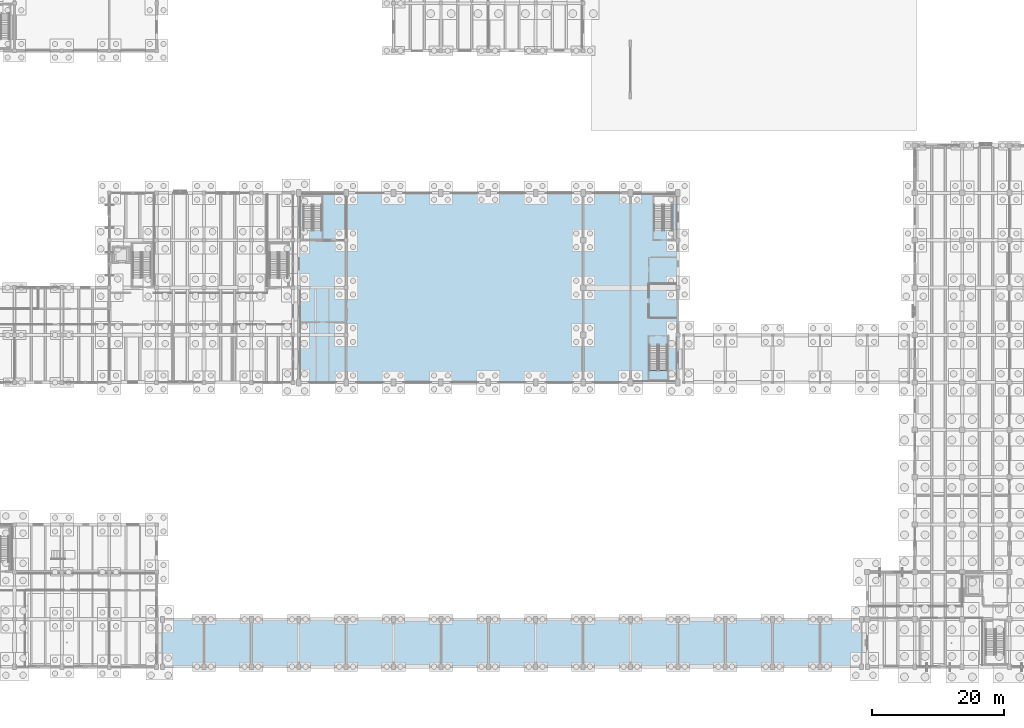
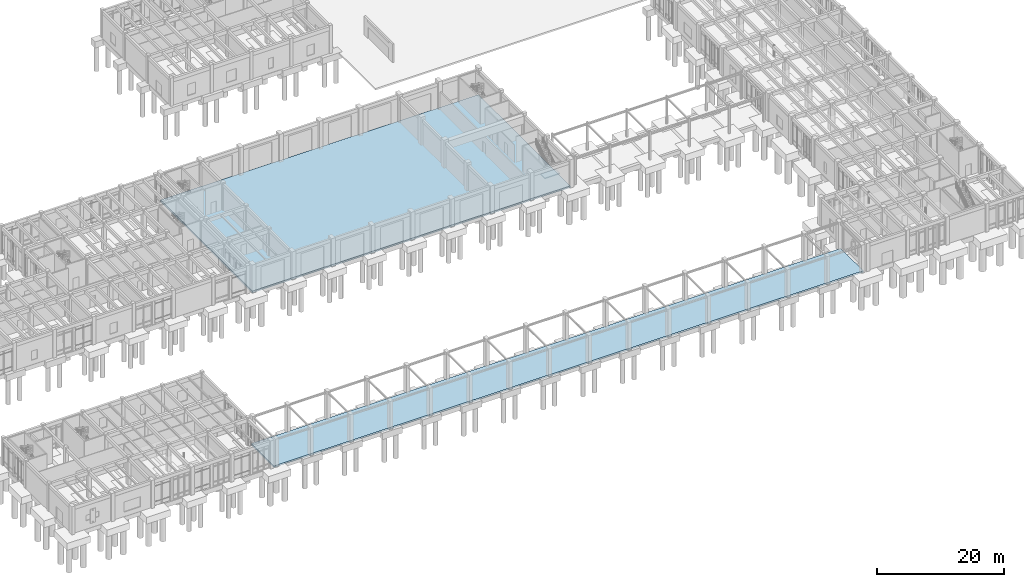
# One storey, part 53 of 93: 3 slabs, 1 element without a shape of its own.
"""IFC4 building model written with IfcOpenShell, lengths in metres."""

from ifc_helpers import new_model, si_unit, direction, frame, origin, place, context, subcontext, project, spatial, polyline, outline, extrude, material, layer, layer_set, type_object, element, aggregate, save


model = new_model("IFC4")

# Units and contexts
model_context = context("Model", 3, precision=1e-05, world=origin(), true_north=direction((0.0, 1.0)))
body_context = subcontext(model_context, "Body", "Model", "MODEL_VIEW")
ifc_project = project(units=[si_unit("LENGTHUNIT", "METRE"), si_unit("AREAUNIT", "SQUARE_METRE"), si_unit("VOLUMEUNIT", "CUBIC_METRE"), si_unit("PLANEANGLEUNIT", "RADIAN"), si_unit("MASSUNIT", "GRAM", prefix="KILO")], contexts=[model_context])

# Site, building, storey
site_placement = place(None, origin())
site = spatial("IfcSite", under=ifc_project, at=site_placement, CompositionType="ELEMENT")
building_placement = place(site_placement, origin())
building = spatial("IfcBuilding", under=site, at=building_placement, Name="Koriwan Promenade Central Fire Station", CompositionType="ELEMENT")
storey_placement = place(building_placement, origin())
storey = spatial("IfcBuildingStorey", under=building, at=storey_placement, Name="L00", CompositionType="ELEMENT", Elevation=0.0)

# Slabs
ifc_material = material(Name="Concrete C35/45", Category="concrete")
ifc_layer_1 = layer(ifc_material, 0.300048828125, Name="Concrete C35/45")
ifc_layer_set_1 = layer_set([ifc_layer_1], Name="Concrete C35/45")
slab_type_1 = type_object("IfcSlabType", Name="BaseSlab_300", PredefinedType="BASESLAB", material=ifc_layer_set_1)
slab_1_placement = place(storey_placement, frame((0.0, 0.0, -0.300048828125)))
element("IfcSlab", 1, at=slab_1_placement, inside=storey, type_object=slab_type_1, Name="South Promenade Riwaq Colonnade ground deck", PredefinedType="BASESLAB", context=body_context, shape_type="SweptSolid", body=[
    extrude(outline(polyline([(36.60009765625, 0.0400390625), (143.39990234375, 0.0400390625), (143.39990234375, 7.159912109375), (36.60009765625, 7.159912109375), (36.60009765625, 0.0400390625)])), origin(), (0.0, 0.0, 1.0), 0.300048828125),
])
ifc_layer_2 = layer(ifc_material, 0.35009765625, Name="Concrete C35/45")
ifc_layer_set_2 = layer_set([ifc_layer_2], Name="Concrete C35/45")
slab_type_2 = type_object("IfcSlabType", Name="BaseSlab_350", PredefinedType="BASESLAB", material=ifc_layer_set_2)
slab_2_placement = place(storey_placement, frame((0.0, 0.0, -0.35009765625)))
element("IfcSlab", 2, at=slab_2_placement, inside=storey, type_object=slab_type_2, Name="V1 L00 structural slab 1", PredefinedType="BASESLAB", context=body_context, shape_type="SweptSolid", body=[
    extrude(outline(polyline([(115.199951171875, 43.199951171875), (115.199951171875, 72.0), (57.60009765625, 72.0), (57.60009765625, 43.199951171875), (115.199951171875, 43.199951171875)])), origin(), (0.0, 0.0, 1.0), 0.35009765625),
])

# Stair, slab
stair_type = type_object("IfcStairType", Name="Stair_HALF_30R_1300", PredefinedType="HALF_TURN_STAIR", material=ifc_material)
stair_placement = place(storey_placement, origin())
stair = element("IfcStair", 3, at=stair_placement, inside=storey, type_object=stair_type, Name="L00 Protected Stair ST03", PredefinedType="HALF_TURN_STAIR")
ifc_layer_3 = layer(ifc_material, 0.199951171875, Name="Concrete C35/45")
ifc_layer_set_3 = layer_set([ifc_layer_3], Name="Concrete C35/45")
slab_type_3 = type_object("IfcSlabType", Name="StairLanding_200", PredefinedType="LANDING", material=ifc_layer_set_3)
slab_3_placement = place(storey_placement, frame((0.0, 0.0, 2.5)))
slab_3 = element("IfcSlab", 4, at=slab_3_placement, type_object=slab_type_3, Name="ST03 landing 1", PredefinedType="LANDING", context=body_context, shape_type="SweptSolid", body=[
    extrude(outline(polyline([(110.85009765625, 44.97998046875), (110.85009765625, 43.679931640625), (113.60009765625, 43.679931640625), (113.60009765625, 44.97998046875), (110.85009765625, 44.97998046875)])), origin(), (0.0, 0.0, 1.0), 0.199951171875),
])
aggregate(stair, [slab_3])

save(model, "model.ifc")
